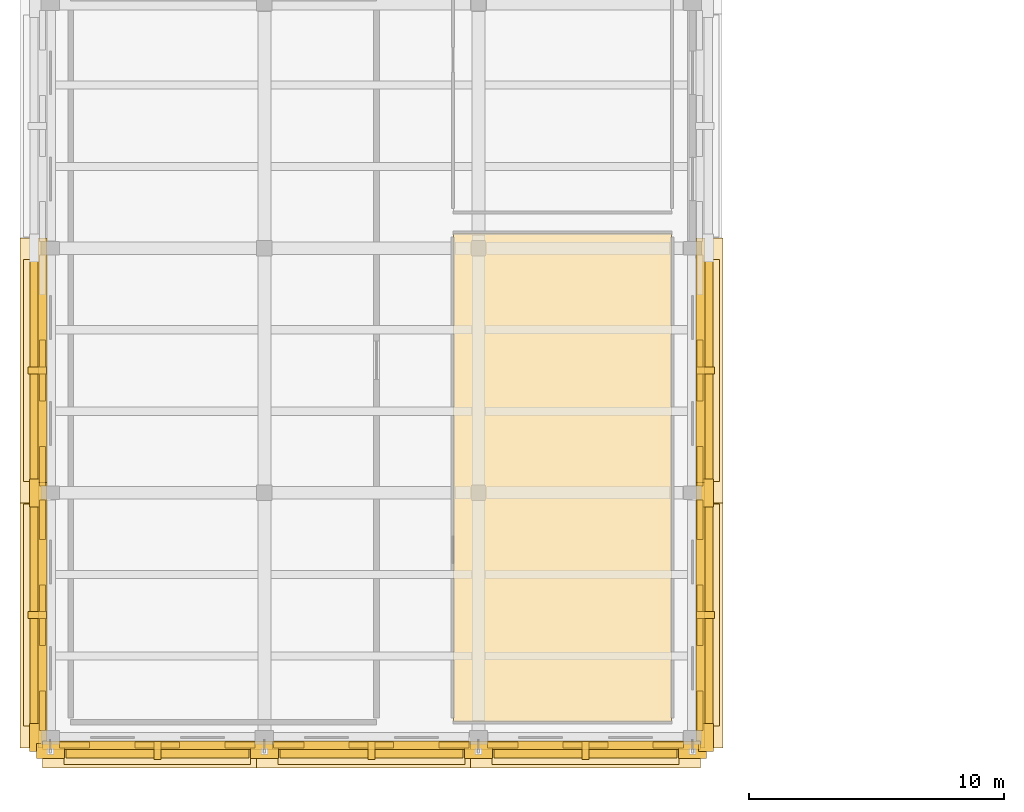
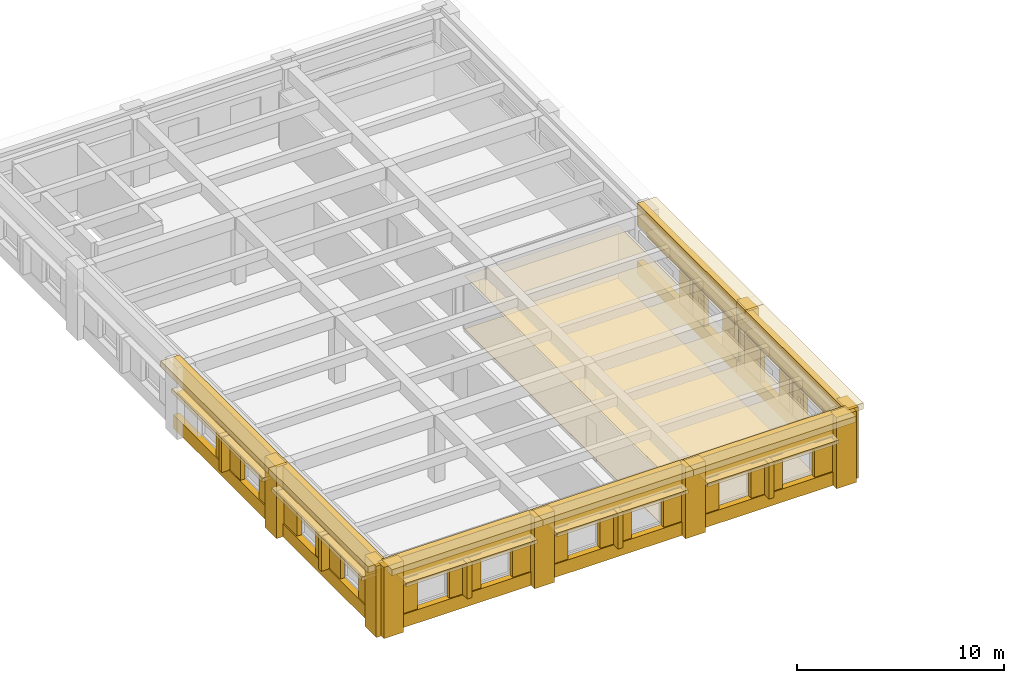
# One storey, part 12 of 17: 64 coverings, 7 shading devices.
"""IFC4 building model written with IfcOpenShell, lengths in metres."""

from ifc_helpers import new_model, si_unit, direction, frame, origin, origin_2d, place, context, subcontext, project, spatial, polyline, rectangle, outline, extrude, material, layer, layer_set, type_object, element, save


model = new_model("IFC4")

# Units and contexts
model_context = context("Model", 3, precision=1e-05, world=origin(), true_north=direction((0.0, 1.0)))
body_context = subcontext(model_context, "Body", "Model", "MODEL_VIEW")
ifc_project = project(units=[si_unit("LENGTHUNIT", "METRE"), si_unit("AREAUNIT", "SQUARE_METRE"), si_unit("VOLUMEUNIT", "CUBIC_METRE"), si_unit("PLANEANGLEUNIT", "RADIAN"), si_unit("MASSUNIT", "GRAM", prefix="KILO")], contexts=[model_context])

# Site, building, storey
site_placement = place(None, origin())
site = spatial("IfcSite", under=ifc_project, at=site_placement, CompositionType="ELEMENT")
building_placement = place(site_placement, origin())
building = spatial("IfcBuilding", under=site, at=building_placement, Name="Bempovik Park Faculty of Sciences", CompositionType="ELEMENT")
storey_placement = place(building_placement, frame((0.0, 0.0, 22.5)))
storey = spatial("IfcBuildingStorey", under=building, at=storey_placement, Name="L05", CompositionType="ELEMENT", Elevation=22.5)

# Coverings
ifc_material_1 = material(Name="Acoustic mineral ceiling tile")
ifc_layer_1 = layer(ifc_material_1, 0.0400390625)
ifc_layer_set_1 = layer_set([ifc_layer_1], Name="Acoustic mineral ceiling tile")
covering_type_1 = type_object("IfcCoveringType", Name="CE-01 Acoustic Ceiling 40mm", PredefinedType="CEILING", material=ifc_layer_set_1)
covering_1_placement = place(storey_placement, frame((0.0, 0.0, 3.110107421875)))
element("IfcCovering", 1, at=covering_1_placement, inside=storey, type_object=covering_type_1, Name="L05 Biosciences Faculty Seminar Room Acoustic Ceiling", PredefinedType="CEILING", context=body_context, shape_type="SweptSolid", body=[
    extrude(outline(polyline([(31.429931640625, 49.22998046875), (39.969970703125, 49.22998046875), (39.969970703125, 68.3701171875), (31.429931640625, 68.3701171875), (31.429931640625, 49.22998046875)])), origin(), (0.0, 0.0, 1.0), 0.039794921875),
])
ifc_material_2 = material(Name="Precast concrete C40/50", Category="concrete")
ifc_layer_2 = layer(ifc_material_2, 0.179931640625)
ifc_layer_set_2 = layer_set([ifc_layer_2], Name="Precast concrete C40/50")
covering_type_2 = type_object("IfcCoveringType", Name="CL-02 Classical Cornice Band 180mm", PredefinedType="CLADDING", material=ifc_layer_set_2)
covering_2_placement = place(storey_placement, frame((14.93505859375, 53.39990234375, 3.83984375), z_axis=(0.0, 0.0, 1.0), x_axis=(1.0, 0.0, 0.0)))
element("IfcCovering", 2, at=covering_2_placement, inside=storey, type_object=covering_type_2, Name="L05 Classical Projecting Dentil Cornice EW-L05-9912", PredefinedType="CLADDING", context=body_context, shape_type="SweptSolid", body=[
    extrude(rectangle(XDim=1.050048828125, YDim=10.406005859375, at=origin_2d()), origin(), (0.0, 0.0, 1.0), 0.360107421875),
])
covering_3_placement = place(storey_placement, frame((15.0, 53.39990234375, 2.81005859375), z_axis=(0.0, 0.0, 1.0), x_axis=(1.0, 0.0, 0.0)))
element("IfcCovering", 3, at=covering_3_placement, inside=storey, type_object=covering_type_2, Name="L05 Classical Stone Solar Window Hood EW-L05-9912", PredefinedType="CLADDING", context=body_context, shape_type="SweptSolid", body=[
    extrude(rectangle(XDim=0.919921875, YDim=8.7060546875, at=origin_2d()), origin(), (0.0, 0.0, 1.0), 0.219970703125),
])
covering_4_placement = place(storey_placement, frame((14.93505859375, 63.0, 3.83984375), z_axis=(0.0, 0.0, 1.0), x_axis=(1.0, 0.0, 0.0)))
element("IfcCovering", 4, at=covering_4_placement, inside=storey, type_object=covering_type_2, Name="L05 Classical Projecting Dentil Cornice EW-L05-9926", PredefinedType="CLADDING", context=body_context, shape_type="SweptSolid", body=[
    extrude(rectangle(XDim=1.050048828125, YDim=10.406005859375, at=origin_2d()), origin(), (0.0, 0.0, 1.0), 0.360107421875),
])
covering_5_placement = place(storey_placement, frame((15.0, 63.0, 2.81005859375), z_axis=(0.0, 0.0, 1.0), x_axis=(1.0, 0.0, 0.0)))
element("IfcCovering", 5, at=covering_5_placement, inside=storey, type_object=covering_type_2, Name="L05 Classical Stone Solar Window Hood EW-L05-9926", PredefinedType="CLADDING", context=body_context, shape_type="SweptSolid", body=[
    extrude(rectangle(XDim=0.919921875, YDim=8.7060546875, at=origin_2d()), origin(), (0.0, 0.0, 1.0), 0.219970703125),
])
covering_6_placement = place(storey_placement, frame((41.465087890625, 53.39990234375, 3.83984375), z_axis=(0.0, 0.0, 1.0), x_axis=(1.0, 0.0, 0.0)))
element("IfcCovering", 6, at=covering_6_placement, inside=storey, type_object=covering_type_2, Name="L05 Classical Projecting Dentil Cornice EW-L05-9999", PredefinedType="CLADDING", context=body_context, shape_type="SweptSolid", body=[
    extrude(rectangle(XDim=1.050048828125, YDim=10.406005859375, at=origin_2d()), origin(), (0.0, 0.0, 1.0), 0.360107421875),
])
covering_7_placement = place(storey_placement, frame((41.39990234375, 53.39990234375, 2.81005859375), z_axis=(0.0, 0.0, 1.0), x_axis=(1.0, 0.0, 0.0)))
element("IfcCovering", 7, at=covering_7_placement, inside=storey, type_object=covering_type_2, Name="L05 Classical Stone Solar Window Hood EW-L05-9999", PredefinedType="CLADDING", context=body_context, shape_type="SweptSolid", body=[
    extrude(rectangle(XDim=0.919921875, YDim=8.7060546875, at=origin_2d()), origin(), (0.0, 0.0, 1.0), 0.219970703125),
])
covering_8_placement = place(storey_placement, frame((41.465087890625, 63.0, 3.83984375), z_axis=(0.0, 0.0, 1.0), x_axis=(1.0, 0.0, 0.0)))
element("IfcCovering", 8, at=covering_8_placement, inside=storey, type_object=covering_type_2, Name="L05 Classical Projecting Dentil Cornice EW-L05-10013", PredefinedType="CLADDING", context=body_context, shape_type="SweptSolid", body=[
    extrude(rectangle(XDim=1.050048828125, YDim=10.406005859375, at=origin_2d()), origin(), (0.0, 0.0, 1.0), 0.360107421875),
])
covering_9_placement = place(storey_placement, frame((41.39990234375, 63.0, 2.81005859375), z_axis=(0.0, 0.0, 1.0), x_axis=(1.0, 0.0, 0.0)))
element("IfcCovering", 9, at=covering_9_placement, inside=storey, type_object=covering_type_2, Name="L05 Classical Stone Solar Window Hood EW-L05-10013", PredefinedType="CLADDING", context=body_context, shape_type="SweptSolid", body=[
    extrude(rectangle(XDim=0.919921875, YDim=8.7060546875, at=origin_2d()), origin(), (0.0, 0.0, 1.0), 0.219970703125),
])
covering_10_placement = place(storey_placement, frame((19.800048828125, 47.93505859375, 3.83984375), z_axis=(0.0, 0.0, 1.0), x_axis=(1.0, 0.0, 0.0)))
element("IfcCovering", 10, at=covering_10_placement, inside=storey, type_object=covering_type_2, Name="L05 Classical Projecting Dentil Cornice EW-L05-10052", PredefinedType="CLADDING", context=body_context, shape_type="SweptSolid", body=[
    extrude(rectangle(XDim=9.02587890625, YDim=1.050048828125, at=origin_2d()), origin(), (0.0, 0.0, 1.0), 0.360107421875),
])
covering_11_placement = place(storey_placement, frame((19.800048828125, 48.0, 2.81005859375), z_axis=(0.0, 0.0, 1.0), x_axis=(1.0, 0.0, 0.0)))
element("IfcCovering", 11, at=covering_11_placement, inside=storey, type_object=covering_type_2, Name="L05 Classical Stone Solar Window Hood EW-L05-10052", PredefinedType="CLADDING", context=body_context, shape_type="SweptSolid", body=[
    extrude(rectangle(XDim=7.325927734375, YDim=0.919921875, at=origin_2d()), origin(), (0.0, 0.0, 1.0), 0.219970703125),
])
covering_12_placement = place(storey_placement, frame((28.199951171875, 47.93505859375, 3.83984375), z_axis=(0.0, 0.0, 1.0), x_axis=(1.0, 0.0, 0.0)))
element("IfcCovering", 12, at=covering_12_placement, inside=storey, type_object=covering_type_2, Name="L05 Classical Projecting Dentil Cornice EW-L05-10066", PredefinedType="CLADDING", context=body_context, shape_type="SweptSolid", body=[
    extrude(rectangle(XDim=9.02587890625, YDim=1.050048828125, at=origin_2d()), origin(), (0.0, 0.0, 1.0), 0.360107421875),
])
covering_13_placement = place(storey_placement, frame((28.199951171875, 48.0, 2.81005859375), z_axis=(0.0, 0.0, 1.0), x_axis=(1.0, 0.0, 0.0)))
element("IfcCovering", 13, at=covering_13_placement, inside=storey, type_object=covering_type_2, Name="L05 Classical Stone Solar Window Hood EW-L05-10066", PredefinedType="CLADDING", context=body_context, shape_type="SweptSolid", body=[
    extrude(rectangle(XDim=7.325927734375, YDim=0.919921875, at=origin_2d()), origin(), (0.0, 0.0, 1.0), 0.219970703125),
])
covering_14_placement = place(storey_placement, frame((36.60009765625, 47.93505859375, 3.83984375), z_axis=(0.0, 0.0, 1.0), x_axis=(1.0, 0.0, 0.0)))
element("IfcCovering", 14, at=covering_14_placement, inside=storey, type_object=covering_type_2, Name="L05 Classical Projecting Dentil Cornice EW-L05-10079", PredefinedType="CLADDING", context=body_context, shape_type="SweptSolid", body=[
    extrude(rectangle(XDim=9.02587890625, YDim=1.050048828125, at=origin_2d()), origin(), (0.0, 0.0, 1.0), 0.360107421875),
])
covering_15_placement = place(storey_placement, frame((36.60009765625, 48.0, 2.81005859375), z_axis=(0.0, 0.0, 1.0), x_axis=(1.0, 0.0, 0.0)))
element("IfcCovering", 15, at=covering_15_placement, inside=storey, type_object=covering_type_2, Name="L05 Classical Stone Solar Window Hood EW-L05-10079", PredefinedType="CLADDING", context=body_context, shape_type="SweptSolid", body=[
    extrude(rectangle(XDim=7.325927734375, YDim=0.919921875, at=origin_2d()), origin(), (0.0, 0.0, 1.0), 0.219970703125),
])
ifc_material_3 = material(Name="White reconstituted limestone precast C40/50", Category="masonry")
ifc_layer_3 = layer(ifc_material_3, 0.239990234375)
ifc_layer_set_3 = layer_set([ifc_layer_3], Name="White reconstituted limestone precast C40/50")
covering_type_3 = type_object("IfcCoveringType", Name="CL-03 Classical Fluted Limestone Pilaster 240mm", PredefinedType="CLADDING", material=ifc_layer_set_3)
covering_16_placement = place(storey_placement, frame((15.2900390625, 53.39990234375, 2.919921875), z_axis=(0.0, 0.0, 1.0), x_axis=(1.0, 0.0, 0.0)))
element("IfcCovering", 16, at=covering_16_placement, inside=storey, type_object=covering_type_3, Name="L05 Classical Limestone Spandrel Entablature EW-L05-9912", PredefinedType="CLADDING", context=body_context, shape_type="SweptSolid", body=[
    extrude(rectangle(XDim=0.340087890625, YDim=10.406005859375, at=origin_2d()), origin(), (0.0, 0.0, 1.0), 1.280029296875),
])
covering_17_placement = place(storey_placement, frame((15.2900390625, 53.39990234375, 0.0), z_axis=(0.0, 0.0, 1.0), x_axis=(1.0, 0.0, 0.0)))
element("IfcCovering", 17, at=covering_17_placement, inside=storey, type_object=covering_type_3, Name="L05 Classical Limestone Sill Dado EW-L05-9912", PredefinedType="CLADDING", context=body_context, shape_type="SweptSolid", body=[
    extrude(rectangle(XDim=0.340087890625, YDim=10.406005859375, at=origin_2d()), origin(), (0.0, 0.0, 1.0), 0.780029296875),
])
for number, where, z_axis, x_axis, name in (
    (18, (15.070068359375, 48.60009765625, 0.0), (0.0, 0.0, 1.0), (1.0, 0.0, 0.0), "L05 Classical Fluted Stone Pilaster PIL-BA-L05-151-486"),
    (19, (15.070068359375, 58.199951171875, 0.0), (0.0, 0.0, 1.0), (1.0, 0.0, 0.0), "L05 Classical Fluted Stone Pilaster PIL-BA-L05-151-582"),
):
    element("IfcCovering", number, at=place(storey_placement, frame(where, z_axis=z_axis, x_axis=x_axis)), inside=storey, type_object=covering_type_3, Name=name, PredefinedType="CLADDING", context=body_context, shape_type="SweptSolid", body=[
        extrude(rectangle(XDim=0.580078125, YDim=1.10009765625, at=origin_2d()), origin(), (0.0, 0.0, 1.0), 4.199951171875),
    ])
covering_18_placement = place(storey_placement, frame((15.300048828125, 49.6494140625, 0.0), z_axis=(0.0, 0.0, 1.0), x_axis=(1.0, 0.0, 0.0)))
element("IfcCovering", 20, at=covering_18_placement, inside=storey, type_object=covering_type_3, Name="L05 White Limestone Wall Cheek EW-L05-9912-0", PredefinedType="CLADDING", context=body_context, shape_type="SweptSolid", body=[
    extrude(rectangle(XDim=0.239990234375, YDim=1.55517578125, at=origin_2d()), origin(), (0.0, 0.0, 1.0), 3.080078125),
])
covering_19_placement = place(storey_placement, frame((15.300048828125, 53.39990234375, 0.0), z_axis=(0.0, 0.0, 1.0), x_axis=(1.0, 0.0, 0.0)))
element("IfcCovering", 21, at=covering_19_placement, inside=storey, type_object=covering_type_3, Name="L05 White Limestone Wall Cheek EW-L05-9912-2", PredefinedType="CLADDING", context=body_context, shape_type="SweptSolid", body=[
    extrude(rectangle(XDim=0.239990234375, YDim=2.3857421875, at=origin_2d()), origin(), (0.0, 0.0, 1.0), 3.080078125),
])
covering_20_placement = place(storey_placement, frame((15.300048828125, 57.150390625, 0.0), z_axis=(0.0, 0.0, 1.0), x_axis=(1.0, 0.0, 0.0)))
element("IfcCovering", 22, at=covering_20_placement, inside=storey, type_object=covering_type_3, Name="L05 White Limestone Wall Cheek EW-L05-9912-4", PredefinedType="CLADDING", context=body_context, shape_type="SweptSolid", body=[
    extrude(rectangle(XDim=0.239990234375, YDim=1.55517578125, at=origin_2d()), origin(), (0.0, 0.0, 1.0), 3.080078125),
])
covering_21_placement = place(storey_placement, frame((15.090087890625, 53.39990234375, 0.75), z_axis=(0.0, 0.0, 1.0), x_axis=(1.0, 0.0, 0.0)))
element("IfcCovering", 23, at=covering_21_placement, inside=storey, type_object=covering_type_3, Name="L05 Classical Vertical Stone Shading Fin EW-L05-9912", PredefinedType="CLADDING", context=body_context, shape_type="SweptSolid", body=[
    extrude(rectangle(XDim=0.719970703125, YDim=0.280029296875, at=origin_2d()), origin(), (0.0, 0.0, 1.0), 2.10009765625),
])
covering_22_placement = place(storey_placement, frame((15.2900390625, 63.0, 2.919921875), z_axis=(0.0, 0.0, 1.0), x_axis=(1.0, 0.0, 0.0)))
element("IfcCovering", 24, at=covering_22_placement, inside=storey, type_object=covering_type_3, Name="L05 Classical Limestone Spandrel Entablature EW-L05-9926", PredefinedType="CLADDING", context=body_context, shape_type="SweptSolid", body=[
    extrude(rectangle(XDim=0.340087890625, YDim=10.406005859375, at=origin_2d()), origin(), (0.0, 0.0, 1.0), 1.280029296875),
])
covering_23_placement = place(storey_placement, frame((15.2900390625, 63.0, 0.0), z_axis=(0.0, 0.0, 1.0), x_axis=(1.0, 0.0, 0.0)))
element("IfcCovering", 25, at=covering_23_placement, inside=storey, type_object=covering_type_3, Name="L05 Classical Limestone Sill Dado EW-L05-9926", PredefinedType="CLADDING", context=body_context, shape_type="SweptSolid", body=[
    extrude(rectangle(XDim=0.340087890625, YDim=10.406005859375, at=origin_2d()), origin(), (0.0, 0.0, 1.0), 0.780029296875),
])
covering_24_placement = place(storey_placement, frame((15.300048828125, 59.24951171875, 0.0), z_axis=(0.0, 0.0, 1.0), x_axis=(1.0, 0.0, 0.0)))
element("IfcCovering", 26, at=covering_24_placement, inside=storey, type_object=covering_type_3, Name="L05 White Limestone Wall Cheek EW-L05-9926-0", PredefinedType="CLADDING", context=body_context, shape_type="SweptSolid", body=[
    extrude(rectangle(XDim=0.239990234375, YDim=1.55517578125, at=origin_2d()), origin(), (0.0, 0.0, 1.0), 3.080078125),
])
covering_25_placement = place(storey_placement, frame((15.300048828125, 63.0, 0.0), z_axis=(0.0, 0.0, 1.0), x_axis=(1.0, 0.0, 0.0)))
element("IfcCovering", 27, at=covering_25_placement, inside=storey, type_object=covering_type_3, Name="L05 White Limestone Wall Cheek EW-L05-9926-2", PredefinedType="CLADDING", context=body_context, shape_type="SweptSolid", body=[
    extrude(rectangle(XDim=0.239990234375, YDim=2.3857421875, at=origin_2d()), origin(), (0.0, 0.0, 1.0), 3.080078125),
])
covering_26_placement = place(storey_placement, frame((15.090087890625, 63.0, 0.75), z_axis=(0.0, 0.0, 1.0), x_axis=(1.0, 0.0, 0.0)))
element("IfcCovering", 28, at=covering_26_placement, inside=storey, type_object=covering_type_3, Name="L05 Classical Vertical Stone Shading Fin EW-L05-9926", PredefinedType="CLADDING", context=body_context, shape_type="SweptSolid", body=[
    extrude(rectangle(XDim=0.719970703125, YDim=0.280029296875, at=origin_2d()), origin(), (0.0, 0.0, 1.0), 2.10009765625),
])
covering_27_placement = place(storey_placement, frame((41.110107421875, 53.39990234375, 2.919921875), z_axis=(0.0, 0.0, 1.0), x_axis=(1.0, 0.0, 0.0)))
element("IfcCovering", 29, at=covering_27_placement, inside=storey, type_object=covering_type_3, Name="L05 Classical Limestone Spandrel Entablature EW-L05-9999", PredefinedType="CLADDING", context=body_context, shape_type="SweptSolid", body=[
    extrude(rectangle(XDim=0.340087890625, YDim=10.406005859375, at=origin_2d()), origin(), (0.0, 0.0, 1.0), 1.280029296875),
])
covering_28_placement = place(storey_placement, frame((41.110107421875, 53.39990234375, 0.0), z_axis=(0.0, 0.0, 1.0), x_axis=(1.0, 0.0, 0.0)))
element("IfcCovering", 30, at=covering_28_placement, inside=storey, type_object=covering_type_3, Name="L05 Classical Limestone Sill Dado EW-L05-9999", PredefinedType="CLADDING", context=body_context, shape_type="SweptSolid", body=[
    extrude(rectangle(XDim=0.340087890625, YDim=10.406005859375, at=origin_2d()), origin(), (0.0, 0.0, 1.0), 0.780029296875),
])
for number, where, z_axis, x_axis, name in (
    (31, (41.330078125, 48.60009765625, 0.0), (0.0, 0.0, 1.0), (1.0, 0.0, 0.0), "L05 Classical Fluted Stone Pilaster PIL-BA-L05-413-486"),
    (32, (41.330078125, 58.199951171875, 0.0), (0.0, 0.0, 1.0), (1.0, 0.0, 0.0), "L05 Classical Fluted Stone Pilaster PIL-BA-L05-413-582"),
):
    element("IfcCovering", number, at=place(storey_placement, frame(where, z_axis=z_axis, x_axis=x_axis)), inside=storey, type_object=covering_type_3, Name=name, PredefinedType="CLADDING", context=body_context, shape_type="SweptSolid", body=[
        extrude(rectangle(XDim=0.580078125, YDim=1.10009765625, at=origin_2d()), origin(), (0.0, 0.0, 1.0), 4.199951171875),
    ])
covering_29_placement = place(storey_placement, frame((41.10009765625, 49.6494140625, 0.0), z_axis=(0.0, 0.0, 1.0), x_axis=(1.0, 0.0, 0.0)))
element("IfcCovering", 33, at=covering_29_placement, inside=storey, type_object=covering_type_3, Name="L05 White Limestone Wall Cheek EW-L05-9999-0", PredefinedType="CLADDING", context=body_context, shape_type="SweptSolid", body=[
    extrude(rectangle(XDim=0.239990234375, YDim=1.55517578125, at=origin_2d()), origin(), (0.0, 0.0, 1.0), 3.080078125),
])
covering_30_placement = place(storey_placement, frame((41.10009765625, 53.39990234375, 0.0), z_axis=(0.0, 0.0, 1.0), x_axis=(1.0, 0.0, 0.0)))
element("IfcCovering", 34, at=covering_30_placement, inside=storey, type_object=covering_type_3, Name="L05 White Limestone Wall Cheek EW-L05-9999-2", PredefinedType="CLADDING", context=body_context, shape_type="SweptSolid", body=[
    extrude(rectangle(XDim=0.239990234375, YDim=2.3857421875, at=origin_2d()), origin(), (0.0, 0.0, 1.0), 3.080078125),
])
covering_31_placement = place(storey_placement, frame((41.10009765625, 57.150390625, 0.0), z_axis=(0.0, 0.0, 1.0), x_axis=(1.0, 0.0, 0.0)))
element("IfcCovering", 35, at=covering_31_placement, inside=storey, type_object=covering_type_3, Name="L05 White Limestone Wall Cheek EW-L05-9999-4", PredefinedType="CLADDING", context=body_context, shape_type="SweptSolid", body=[
    extrude(rectangle(XDim=0.239990234375, YDim=1.55517578125, at=origin_2d()), origin(), (0.0, 0.0, 1.0), 3.080078125),
])
covering_32_placement = place(storey_placement, frame((41.31005859375, 53.39990234375, 0.75), z_axis=(0.0, 0.0, 1.0), x_axis=(1.0, 0.0, 0.0)))
element("IfcCovering", 36, at=covering_32_placement, inside=storey, type_object=covering_type_3, Name="L05 Classical Vertical Stone Shading Fin EW-L05-9999", PredefinedType="CLADDING", context=body_context, shape_type="SweptSolid", body=[
    extrude(rectangle(XDim=0.719970703125, YDim=0.280029296875, at=origin_2d()), origin(), (0.0, 0.0, 1.0), 2.10009765625),
])
covering_33_placement = place(storey_placement, frame((41.110107421875, 63.0, 2.919921875), z_axis=(0.0, 0.0, 1.0), x_axis=(1.0, 0.0, 0.0)))
element("IfcCovering", 37, at=covering_33_placement, inside=storey, type_object=covering_type_3, Name="L05 Classical Limestone Spandrel Entablature EW-L05-10013", PredefinedType="CLADDING", context=body_context, shape_type="SweptSolid", body=[
    extrude(rectangle(XDim=0.340087890625, YDim=10.406005859375, at=origin_2d()), origin(), (0.0, 0.0, 1.0), 1.280029296875),
])
covering_34_placement = place(storey_placement, frame((41.110107421875, 63.0, 0.0), z_axis=(0.0, 0.0, 1.0), x_axis=(1.0, 0.0, 0.0)))
element("IfcCovering", 38, at=covering_34_placement, inside=storey, type_object=covering_type_3, Name="L05 Classical Limestone Sill Dado EW-L05-10013", PredefinedType="CLADDING", context=body_context, shape_type="SweptSolid", body=[
    extrude(rectangle(XDim=0.340087890625, YDim=10.406005859375, at=origin_2d()), origin(), (0.0, 0.0, 1.0), 0.780029296875),
])
covering_35_placement = place(storey_placement, frame((41.10009765625, 59.24951171875, 0.0), z_axis=(0.0, 0.0, 1.0), x_axis=(1.0, 0.0, 0.0)))
element("IfcCovering", 39, at=covering_35_placement, inside=storey, type_object=covering_type_3, Name="L05 White Limestone Wall Cheek EW-L05-10013-0", PredefinedType="CLADDING", context=body_context, shape_type="SweptSolid", body=[
    extrude(rectangle(XDim=0.239990234375, YDim=1.55517578125, at=origin_2d()), origin(), (0.0, 0.0, 1.0), 3.080078125),
])
covering_36_placement = place(storey_placement, frame((41.10009765625, 63.0, 0.0), z_axis=(0.0, 0.0, 1.0), x_axis=(1.0, 0.0, 0.0)))
element("IfcCovering", 40, at=covering_36_placement, inside=storey, type_object=covering_type_3, Name="L05 White Limestone Wall Cheek EW-L05-10013-2", PredefinedType="CLADDING", context=body_context, shape_type="SweptSolid", body=[
    extrude(rectangle(XDim=0.239990234375, YDim=2.3857421875, at=origin_2d()), origin(), (0.0, 0.0, 1.0), 3.080078125),
])
covering_37_placement = place(storey_placement, frame((41.31005859375, 63.0, 0.75), z_axis=(0.0, 0.0, 1.0), x_axis=(1.0, 0.0, 0.0)))
element("IfcCovering", 41, at=covering_37_placement, inside=storey, type_object=covering_type_3, Name="L05 Classical Vertical Stone Shading Fin EW-L05-10013", PredefinedType="CLADDING", context=body_context, shape_type="SweptSolid", body=[
    extrude(rectangle(XDim=0.719970703125, YDim=0.280029296875, at=origin_2d()), origin(), (0.0, 0.0, 1.0), 2.10009765625),
])
covering_38_placement = place(storey_placement, frame((19.800048828125, 48.2900390625, 2.919921875), z_axis=(0.0, 0.0, 1.0), x_axis=(1.0, 0.0, 0.0)))
element("IfcCovering", 42, at=covering_38_placement, inside=storey, type_object=covering_type_3, Name="L05 Classical Limestone Spandrel Entablature EW-L05-10052", PredefinedType="CLADDING", context=body_context, shape_type="SweptSolid", body=[
    extrude(rectangle(XDim=9.02587890625, YDim=0.340087890625, at=origin_2d()), origin(), (0.0, 0.0, 1.0), 1.280029296875),
])
covering_39_placement = place(storey_placement, frame((19.800048828125, 48.2900390625, 0.0), z_axis=(0.0, 0.0, 1.0), x_axis=(1.0, 0.0, 0.0)))
element("IfcCovering", 43, at=covering_39_placement, inside=storey, type_object=covering_type_3, Name="L05 Classical Limestone Sill Dado EW-L05-10052", PredefinedType="CLADDING", context=body_context, shape_type="SweptSolid", body=[
    extrude(rectangle(XDim=9.02587890625, YDim=0.340087890625, at=origin_2d()), origin(), (0.0, 0.0, 1.0), 0.780029296875),
])
for number, where, z_axis, x_axis, name in (
    (44, (15.60009765625, 48.070068359375, 0.0), (0.0, 0.0, 1.0), (1.0, 0.0, 0.0), "L05 Classical Fluted Stone Pilaster PIL-BA-L05-156-481"),
    (45, (24.0, 48.070068359375, 0.0), (0.0, 0.0, 1.0), (1.0, 0.0, 0.0), "L05 Classical Fluted Stone Pilaster PIL-BA-L05-240-481"),
):
    element("IfcCovering", number, at=place(storey_placement, frame(where, z_axis=z_axis, x_axis=x_axis)), inside=storey, type_object=covering_type_3, Name=name, PredefinedType="CLADDING", context=body_context, shape_type="SweptSolid", body=[
        extrude(rectangle(XDim=1.10009765625, YDim=0.580078125, at=origin_2d()), origin(), (0.0, 0.0, 1.0), 4.199951171875),
    ])
covering_40_placement = place(storey_placement, frame((16.55322265625, 48.300048828125, 0.0), z_axis=(0.0, 0.0, 1.0), x_axis=(1.0, 0.0, 0.0)))
element("IfcCovering", 46, at=covering_40_placement, inside=storey, type_object=covering_type_3, Name="L05 White Limestone Wall Cheek EW-L05-10052-0", PredefinedType="CLADDING", context=body_context, shape_type="SweptSolid", body=[
    extrude(rectangle(XDim=1.1826171875, YDim=0.239990234375, at=origin_2d()), origin(), (0.0, 0.0, 1.0), 3.080078125),
])
covering_41_placement = place(storey_placement, frame((19.800048828125, 48.300048828125, 0.0), z_axis=(0.0, 0.0, 1.0), x_axis=(1.0, 0.0, 0.0)))
element("IfcCovering", 47, at=covering_41_placement, inside=storey, type_object=covering_type_3, Name="L05 White Limestone Wall Cheek EW-L05-10052-2", PredefinedType="CLADDING", context=body_context, shape_type="SweptSolid", body=[
    extrude(rectangle(XDim=1.7509765625, YDim=0.239990234375, at=origin_2d()), origin(), (0.0, 0.0, 1.0), 3.080078125),
])
covering_42_placement = place(storey_placement, frame((23.046630859375, 48.300048828125, 0.0), z_axis=(0.0, 0.0, 1.0), x_axis=(1.0, 0.0, 0.0)))
element("IfcCovering", 48, at=covering_42_placement, inside=storey, type_object=covering_type_3, Name="L05 White Limestone Wall Cheek EW-L05-10052-4", PredefinedType="CLADDING", context=body_context, shape_type="SweptSolid", body=[
    extrude(rectangle(XDim=1.1826171875, YDim=0.239990234375, at=origin_2d()), origin(), (0.0, 0.0, 1.0), 3.080078125),
])
covering_43_placement = place(storey_placement, frame((19.800048828125, 48.090087890625, 0.75), z_axis=(0.0, 0.0, 1.0), x_axis=(1.0, 0.0, 0.0)))
element("IfcCovering", 49, at=covering_43_placement, inside=storey, type_object=covering_type_3, Name="L05 Classical Vertical Stone Shading Fin EW-L05-10052", PredefinedType="CLADDING", context=body_context, shape_type="SweptSolid", body=[
    extrude(rectangle(XDim=0.280029296875, YDim=0.719970703125, at=origin_2d()), origin(), (0.0, 0.0, 1.0), 2.10009765625),
])
covering_44_placement = place(storey_placement, frame((28.199951171875, 48.2900390625, 2.919921875), z_axis=(0.0, 0.0, 1.0), x_axis=(1.0, 0.0, 0.0)))
element("IfcCovering", 50, at=covering_44_placement, inside=storey, type_object=covering_type_3, Name="L05 Classical Limestone Spandrel Entablature EW-L05-10066", PredefinedType="CLADDING", context=body_context, shape_type="SweptSolid", body=[
    extrude(rectangle(XDim=9.02587890625, YDim=0.340087890625, at=origin_2d()), origin(), (0.0, 0.0, 1.0), 1.280029296875),
])
covering_45_placement = place(storey_placement, frame((28.199951171875, 48.2900390625, 0.0), z_axis=(0.0, 0.0, 1.0), x_axis=(1.0, 0.0, 0.0)))
element("IfcCovering", 51, at=covering_45_placement, inside=storey, type_object=covering_type_3, Name="L05 Classical Limestone Sill Dado EW-L05-10066", PredefinedType="CLADDING", context=body_context, shape_type="SweptSolid", body=[
    extrude(rectangle(XDim=9.02587890625, YDim=0.340087890625, at=origin_2d()), origin(), (0.0, 0.0, 1.0), 0.780029296875),
])
covering_46_placement = place(storey_placement, frame((32.39990234375, 48.070068359375, 0.0), z_axis=(0.0, 0.0, 1.0), x_axis=(1.0, 0.0, 0.0)))
element("IfcCovering", 52, at=covering_46_placement, inside=storey, type_object=covering_type_3, Name="L05 Classical Fluted Stone Pilaster PIL-BA-L05-324-481", PredefinedType="CLADDING", context=body_context, shape_type="SweptSolid", body=[
    extrude(rectangle(XDim=1.10009765625, YDim=0.580078125, at=origin_2d()), origin(), (0.0, 0.0, 1.0), 4.199951171875),
])
covering_47_placement = place(storey_placement, frame((24.953125, 48.300048828125, 0.0), z_axis=(0.0, 0.0, 1.0), x_axis=(1.0, 0.0, 0.0)))
element("IfcCovering", 53, at=covering_47_placement, inside=storey, type_object=covering_type_3, Name="L05 White Limestone Wall Cheek EW-L05-10066-0", PredefinedType="CLADDING", context=body_context, shape_type="SweptSolid", body=[
    extrude(rectangle(XDim=1.1826171875, YDim=0.239990234375, at=origin_2d()), origin(), (0.0, 0.0, 1.0), 3.080078125),
])
covering_48_placement = place(storey_placement, frame((28.199951171875, 48.300048828125, 0.0), z_axis=(0.0, 0.0, 1.0), x_axis=(1.0, 0.0, 0.0)))
element("IfcCovering", 54, at=covering_48_placement, inside=storey, type_object=covering_type_3, Name="L05 White Limestone Wall Cheek EW-L05-10066-2", PredefinedType="CLADDING", context=body_context, shape_type="SweptSolid", body=[
    extrude(rectangle(XDim=1.7509765625, YDim=0.239990234375, at=origin_2d()), origin(), (0.0, 0.0, 1.0), 3.080078125),
])
covering_49_placement = place(storey_placement, frame((31.44677734375, 48.300048828125, 0.0), z_axis=(0.0, 0.0, 1.0), x_axis=(1.0, 0.0, 0.0)))
element("IfcCovering", 55, at=covering_49_placement, inside=storey, type_object=covering_type_3, Name="L05 White Limestone Wall Cheek EW-L05-10066-4", PredefinedType="CLADDING", context=body_context, shape_type="SweptSolid", body=[
    extrude(rectangle(XDim=1.1826171875, YDim=0.239990234375, at=origin_2d()), origin(), (0.0, 0.0, 1.0), 3.080078125),
])
covering_50_placement = place(storey_placement, frame((28.199951171875, 48.090087890625, 0.75), z_axis=(0.0, 0.0, 1.0), x_axis=(1.0, 0.0, 0.0)))
element("IfcCovering", 56, at=covering_50_placement, inside=storey, type_object=covering_type_3, Name="L05 Classical Vertical Stone Shading Fin EW-L05-10066", PredefinedType="CLADDING", context=body_context, shape_type="SweptSolid", body=[
    extrude(rectangle(XDim=0.280029296875, YDim=0.719970703125, at=origin_2d()), origin(), (0.0, 0.0, 1.0), 2.10009765625),
])
covering_51_placement = place(storey_placement, frame((36.60009765625, 48.2900390625, 2.919921875), z_axis=(0.0, 0.0, 1.0), x_axis=(1.0, 0.0, 0.0)))
element("IfcCovering", 57, at=covering_51_placement, inside=storey, type_object=covering_type_3, Name="L05 Classical Limestone Spandrel Entablature EW-L05-10079", PredefinedType="CLADDING", context=body_context, shape_type="SweptSolid", body=[
    extrude(rectangle(XDim=9.02587890625, YDim=0.340087890625, at=origin_2d()), origin(), (0.0, 0.0, 1.0), 1.280029296875),
])
covering_52_placement = place(storey_placement, frame((36.60009765625, 48.2900390625, 0.0), z_axis=(0.0, 0.0, 1.0), x_axis=(1.0, 0.0, 0.0)))
element("IfcCovering", 58, at=covering_52_placement, inside=storey, type_object=covering_type_3, Name="L05 Classical Limestone Sill Dado EW-L05-10079", PredefinedType="CLADDING", context=body_context, shape_type="SweptSolid", body=[
    extrude(rectangle(XDim=9.02587890625, YDim=0.340087890625, at=origin_2d()), origin(), (0.0, 0.0, 1.0), 0.780029296875),
])
covering_53_placement = place(storey_placement, frame((40.800048828125, 48.070068359375, 0.0), z_axis=(0.0, 0.0, 1.0), x_axis=(1.0, 0.0, 0.0)))
element("IfcCovering", 59, at=covering_53_placement, inside=storey, type_object=covering_type_3, Name="L05 Classical Fluted Stone Pilaster PIL-BA-L05-408-481", PredefinedType="CLADDING", context=body_context, shape_type="SweptSolid", body=[
    extrude(rectangle(XDim=1.10009765625, YDim=0.580078125, at=origin_2d()), origin(), (0.0, 0.0, 1.0), 4.199951171875),
])
covering_54_placement = place(storey_placement, frame((33.353271484375, 48.300048828125, 0.0), z_axis=(0.0, 0.0, 1.0), x_axis=(1.0, 0.0, 0.0)))
element("IfcCovering", 60, at=covering_54_placement, inside=storey, type_object=covering_type_3, Name="L05 White Limestone Wall Cheek EW-L05-10079-0", PredefinedType="CLADDING", context=body_context, shape_type="SweptSolid", body=[
    extrude(rectangle(XDim=1.1826171875, YDim=0.239990234375, at=origin_2d()), origin(), (0.0, 0.0, 1.0), 3.080078125),
])
covering_55_placement = place(storey_placement, frame((36.60009765625, 48.300048828125, 0.0), z_axis=(0.0, 0.0, 1.0), x_axis=(1.0, 0.0, 0.0)))
element("IfcCovering", 61, at=covering_55_placement, inside=storey, type_object=covering_type_3, Name="L05 White Limestone Wall Cheek EW-L05-10079-2", PredefinedType="CLADDING", context=body_context, shape_type="SweptSolid", body=[
    extrude(rectangle(XDim=1.7509765625, YDim=0.239990234375, at=origin_2d()), origin(), (0.0, 0.0, 1.0), 3.080078125),
])
covering_56_placement = place(storey_placement, frame((39.8466796875, 48.300048828125, 0.0), z_axis=(0.0, 0.0, 1.0), x_axis=(1.0, 0.0, 0.0)))
element("IfcCovering", 62, at=covering_56_placement, inside=storey, type_object=covering_type_3, Name="L05 White Limestone Wall Cheek EW-L05-10079-4", PredefinedType="CLADDING", context=body_context, shape_type="SweptSolid", body=[
    extrude(rectangle(XDim=1.1826171875, YDim=0.239990234375, at=origin_2d()), origin(), (0.0, 0.0, 1.0), 3.080078125),
])
covering_57_placement = place(storey_placement, frame((36.60009765625, 48.090087890625, 0.75), z_axis=(0.0, 0.0, 1.0), x_axis=(1.0, 0.0, 0.0)))
element("IfcCovering", 63, at=covering_57_placement, inside=storey, type_object=covering_type_3, Name="L05 Classical Vertical Stone Shading Fin EW-L05-10079", PredefinedType="CLADDING", context=body_context, shape_type="SweptSolid", body=[
    extrude(rectangle(XDim=0.280029296875, YDim=0.719970703125, at=origin_2d()), origin(), (0.0, 0.0, 1.0), 2.10009765625),
])
ifc_material_4 = material(Name="Polished mineral terrazzo flooring")
ifc_layer_4 = layer(ifc_material_4, 0.030029296875)
ifc_layer_set_4 = layer_set([ifc_layer_4], Name="Polished mineral terrazzo flooring")
covering_type_4 = type_object("IfcCoveringType", Name="FL-01 Terrazzo Flooring 30mm", PredefinedType="FLOORING", material=ifc_layer_set_4)
covering_58_placement = place(storey_placement, origin())
element("IfcCovering", 64, at=covering_58_placement, inside=storey, type_object=covering_type_4, Name="L05 Biosciences Faculty Seminar Room Terrazzo Flooring", PredefinedType="FLOORING", context=body_context, shape_type="SweptSolid", body=[
    extrude(outline(polyline([(31.429931640625, 49.22998046875), (39.969970703125, 49.22998046875), (39.969970703125, 68.3701171875), (31.429931640625, 68.3701171875), (31.429931640625, 49.22998046875)])), origin(), (0.0, 0.0, 1.0), 0.030029296875),
])

# Shading devices
ifc_material_5 = material(Name="Anodised architectural bronze")
ifc_layer_5 = layer(ifc_material_5, 0.06005859375)
ifc_layer_set_5 = layer_set([ifc_layer_5], Name="Anodised architectural bronze")
shading_device_type = type_object("IfcShadingDeviceType", Name="SH-01 Bronze Brise-Soleil Fin", PredefinedType="USERDEFINED", material=ifc_layer_set_5)
for number, where, z_axis, x_axis, name in (
    (65, (15.1201171875, 53.39990234375, 2.75), (0.0, 0.0, 1.0), (1.0, 0.0, 0.0), "L05 Equatorial Bronze Brise-Soleil EW-L05-9912"),
    (66, (15.1201171875, 63.0, 2.75), (0.0, 0.0, 1.0), (1.0, 0.0, 0.0), "L05 Equatorial Bronze Brise-Soleil EW-L05-9926"),
    (67, (41.280029296875, 53.39990234375, 2.75), (0.0, 0.0, 1.0), (1.0, 0.0, 0.0), "L05 Equatorial Bronze Brise-Soleil EW-L05-9999"),
    (68, (41.280029296875, 63.0, 2.75), (0.0, 0.0, 1.0), (1.0, 0.0, 0.0), "L05 Equatorial Bronze Brise-Soleil EW-L05-10013"),
):
    element("IfcShadingDevice", number, at=place(storey_placement, frame(where, z_axis=z_axis, x_axis=x_axis)), inside=storey, type_object=shading_device_type, Name=name, ObjectType="BRISE SOLEIL", PredefinedType="USERDEFINED", context=body_context, shape_type="SweptSolid", body=[
        extrude(rectangle(XDim=0.64990234375, YDim=8.555908203125, at=origin_2d()), origin(), (0.0, 0.0, 1.0), 0.06005859375),
    ])
for number, where, z_axis, x_axis, name in (
    (69, (19.800048828125, 48.1201171875, 2.75), (0.0, 0.0, 1.0), (1.0, 0.0, 0.0), "L05 Equatorial Bronze Brise-Soleil EW-L05-10052"),
    (70, (28.199951171875, 48.1201171875, 2.75), (0.0, 0.0, 1.0), (1.0, 0.0, 0.0), "L05 Equatorial Bronze Brise-Soleil EW-L05-10066"),
    (71, (36.60009765625, 48.1201171875, 2.75), (0.0, 0.0, 1.0), (1.0, 0.0, 0.0), "L05 Equatorial Bronze Brise-Soleil EW-L05-10079"),
):
    element("IfcShadingDevice", number, at=place(storey_placement, frame(where, z_axis=z_axis, x_axis=x_axis)), inside=storey, type_object=shading_device_type, Name=name, ObjectType="BRISE SOLEIL", PredefinedType="USERDEFINED", context=body_context, shape_type="SweptSolid", body=[
        extrude(rectangle(XDim=7.176025390625, YDim=0.64990234375, at=origin_2d()), origin(), (0.0, 0.0, 1.0), 0.06005859375),
    ])

save(model, "model.ifc")
